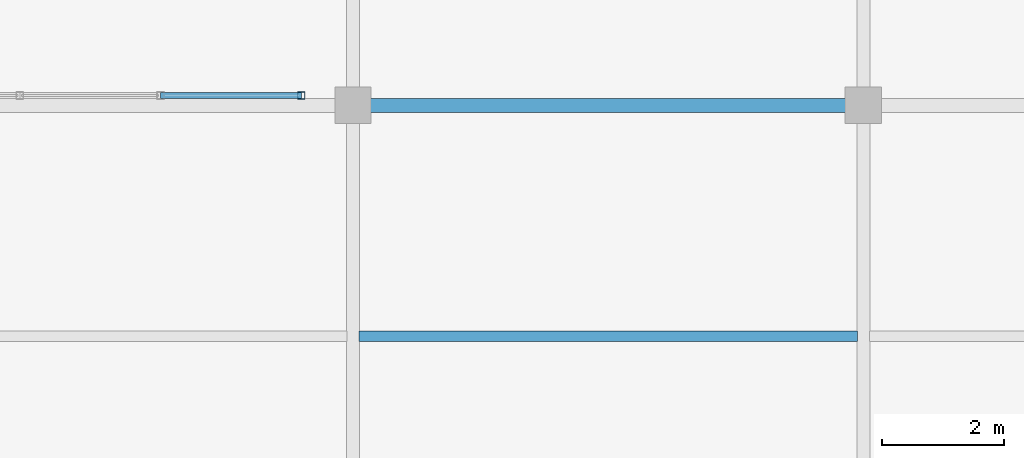
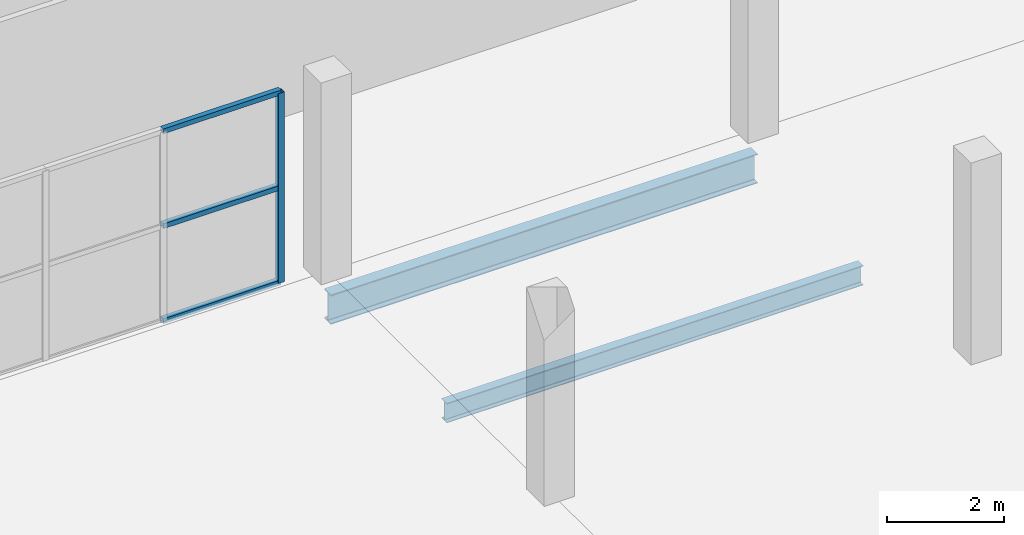
# One storey, part 33 of 217: 4 members, 2 beams, 1 element without a shape of its own.
"""IFC4 building model written with IfcOpenShell, lengths in metres."""

from ifc_helpers import new_model, si_unit, direction, frame, origin, origin_2d, place, context, subcontext, project, spatial, hollow_rectangle, i_section, extrude, material, material_profile, profile_set, type_object, element, aggregate, save


model = new_model("IFC4")

# Units and contexts
model_context = context("Model", 3, precision=1e-05, world=origin(), true_north=direction((0.0, 1.0)))
body_context = subcontext(model_context, "Body", "Model", "MODEL_VIEW")
ifc_project = project(units=[si_unit("LENGTHUNIT", "METRE"), si_unit("AREAUNIT", "SQUARE_METRE"), si_unit("VOLUMEUNIT", "CUBIC_METRE"), si_unit("PLANEANGLEUNIT", "RADIAN"), si_unit("MASSUNIT", "GRAM", prefix="KILO")], contexts=[model_context])

# Site, building, storey
site_placement = place(None, origin())
site = spatial("IfcSite", under=ifc_project, at=site_placement, CompositionType="ELEMENT")
building_placement = place(site_placement, origin())
building = spatial("IfcBuilding", under=site, at=building_placement, Name="Zuvorla Pavilion Media Centre", CompositionType="ELEMENT")
storey_placement = place(building_placement, frame((0.0, 0.0, 9.60009765625)))
storey = spatial("IfcBuildingStorey", under=building, at=storey_placement, Name="L02", CompositionType="ELEMENT", Elevation=9.60009765625)

# Beams
ifc_material_1 = material(Name="Steel S355", Category="steel")
ifc_material_profile_1 = material_profile(ifc_material_1, i_section(OverallWidth=0.1787109375, OverallDepth=0.409423828125, WebThickness=0.0087890625, FlangeThickness=0.014404296875, FilletRadius=0.01025390625, at=origin_2d()), Name="UB 406x178x67")
ifc_profile_set_1 = profile_set([ifc_material_profile_1], Name="Steel S355")
beam_type_1 = type_object("IfcBeamType", Name="BM-UB406", PredefinedType="JOIST", material=ifc_profile_set_1)
beam_1_placement = place(storey_placement, frame((66.89990234375, 40.199951171875, -0.6328125), z_axis=(1.0, 0.0, 0.0), x_axis=(0.0, 1.0, 0.0)))
element("IfcBeam", 1, at=beam_1_placement, inside=storey, type_object=beam_type_1, Name="L02 joist J02 1008", PredefinedType="JOIST", context=body_context, shape_type="SweptSolid", body=[
    extrude(i_section(OverallWidth=0.1787109375, OverallDepth=0.409423828125, WebThickness=0.0087890625, FlangeThickness=0.014404296875, FilletRadius=0.01025390625, at=origin_2d()), origin(), (0.0, 0.0, 1.0), 8.2001953125),
])
ifc_material_profile_2 = material_profile(ifc_material_1, i_section(OverallWidth=0.22900390625, OverallDepth=0.6123046875, WebThickness=0.011962890625, FlangeThickness=0.01953125, FilletRadius=0.0126953125, at=origin_2d()), Name="UB 610x229x125")
ifc_profile_set_2 = profile_set([ifc_material_profile_2], Name="Steel S355")
beam_type_2 = type_object("IfcBeamType", Name="BM-UB610", PredefinedType="BEAM", material=ifc_profile_set_2)
beam_2_placement = place(storey_placement, frame((66.800048828125, 44.0, -0.734130859375), z_axis=(1.0, 0.0, 0.0), x_axis=(0.0, 1.0, 0.0)))
element("IfcBeam", 2, at=beam_2_placement, inside=storey, type_object=beam_type_2, Name="L02 beam B07 824", PredefinedType="BEAM", context=body_context, shape_type="SweptSolid", body=[
    extrude(i_section(OverallWidth=0.22900390625, OverallDepth=0.6123046875, WebThickness=0.011962890625, FlangeThickness=0.01953125, FilletRadius=0.0126953125, at=origin_2d()), origin(), (0.0, 0.0, 1.0), 8.39990234375),
])

# Curtain wall, members
ifc_material_2 = material(Name="Unitised anodised aluminium and solar glass curtain wall", Category="aluminium")
curtain_wall_type = type_object("IfcCurtainWallType", Name="CW-SYS-23", PredefinedType="USERDEFINED", material=ifc_material_2)
curtain_wall_placement = place(storey_placement, origin())
curtain_wall = element("IfcCurtainWall", 3, at=curtain_wall_placement, inside=storey, type_object=curtain_wall_type, Name="L02 curtain wall CW23 42", ObjectType="CURTAIN WALL", PredefinedType="USERDEFINED")
ifc_material_3 = material(Name="Anodised aluminium 6063-T6", Category="aluminium")
ifc_material_profile_3 = material_profile(ifc_material_3, hollow_rectangle(XDim=0.1201171875, YDim=0.1201171875, WallThickness=0.0048828125, at=origin_2d()), Name="ALU MULL 120x120")
ifc_profile_set_3 = profile_set([ifc_material_profile_3], Name="Anodised aluminium 6063-T6")
member_type_1 = type_object("IfcMemberType", Name="CW-MULL-120", PredefinedType="MULLION", material=ifc_profile_set_3)
member_1_placement = place(storey_placement, frame((65.94970703125, 44.159912109375, 0.0), z_axis=(0.0, 0.0, 1.0), x_axis=(1.0, 0.0, 0.0)))
member_1 = element("IfcMember", 4, at=member_1_placement, type_object=member_type_1, Name="CW23 mullion 4", PredefinedType="MULLION", context=body_context, shape_type="SweptSolid", body=[
    extrude(hollow_rectangle(XDim=0.1201171875, YDim=0.1201171875, WallThickness=0.0048828125, at=origin_2d()), origin(), (0.0, 0.0, 1.0), 3.949951171875),
])
ifc_material_profile_4 = material_profile(ifc_material_3, hollow_rectangle(XDim=0.10009765625, YDim=0.10009765625, WallThickness=0.00439453125, at=origin_2d()), Name="ALU TRAN 100x100")
ifc_profile_set_4 = profile_set([ifc_material_profile_4], Name="Anodised aluminium 6063-T6")
member_type_2 = type_object("IfcMemberType", Name="CW-TRAN-100", PredefinedType="USERDEFINED", material=ifc_profile_set_4)
member_2_placement = place(storey_placement, frame((63.63330078125, 44.159912109375, 0.0), z_axis=(1.0, 0.0, 0.0), x_axis=(0.0, 1.0, 0.0)))
member_2 = element("IfcMember", 5, at=member_2_placement, type_object=member_type_2, Name="CW23 transom 3.1", ObjectType="TRANSOM", PredefinedType="USERDEFINED", context=body_context, shape_type="SweptSolid", body=[
    extrude(hollow_rectangle(XDim=0.10009765625, YDim=0.10009765625, WallThickness=0.00439453125, at=origin_2d()), origin(), (0.0, 0.0, 1.0), 2.31640625),
])
member_3_placement = place(storey_placement, frame((63.63330078125, 44.159912109375, 1.974853515625), z_axis=(1.0, 0.0, 0.0), x_axis=(0.0, 1.0, 0.0)))
member_3 = element("IfcMember", 6, at=member_3_placement, type_object=member_type_2, Name="CW23 transom 3.2", ObjectType="TRANSOM", PredefinedType="USERDEFINED", context=body_context, shape_type="SweptSolid", body=[
    extrude(hollow_rectangle(XDim=0.10009765625, YDim=0.10009765625, WallThickness=0.00439453125, at=origin_2d()), origin(), (0.0, 0.0, 1.0), 2.31640625),
])
member_4_placement = place(storey_placement, frame((63.63330078125, 44.159912109375, 3.949951171875), z_axis=(1.0, 0.0, 0.0), x_axis=(0.0, 1.0, 0.0)))
member_4 = element("IfcMember", 7, at=member_4_placement, type_object=member_type_2, Name="CW23 transom 3.3", ObjectType="TRANSOM", PredefinedType="USERDEFINED", context=body_context, shape_type="SweptSolid", body=[
    extrude(hollow_rectangle(XDim=0.10009765625, YDim=0.10009765625, WallThickness=0.00439453125, at=origin_2d()), origin(), (0.0, 0.0, 1.0), 2.31640625),
])
aggregate(curtain_wall, [member_1, member_2, member_3, member_4])

save(model, "model.ifc")
